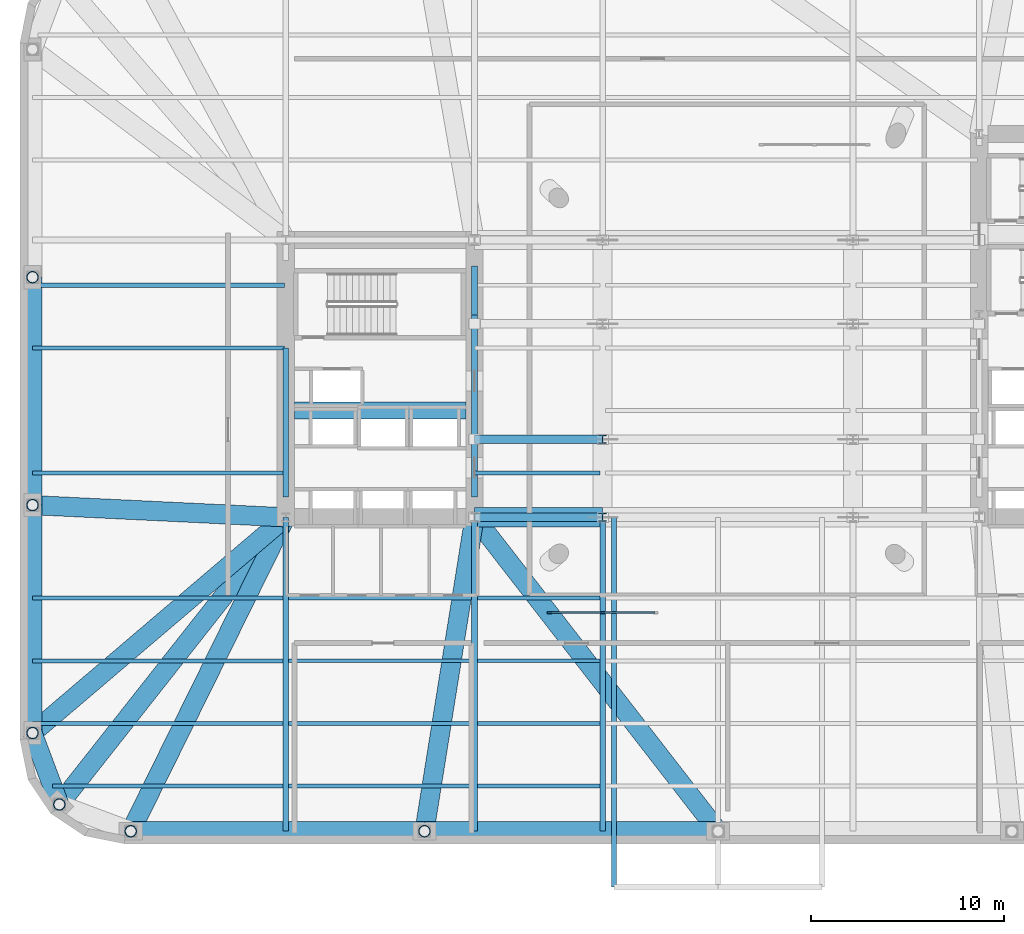
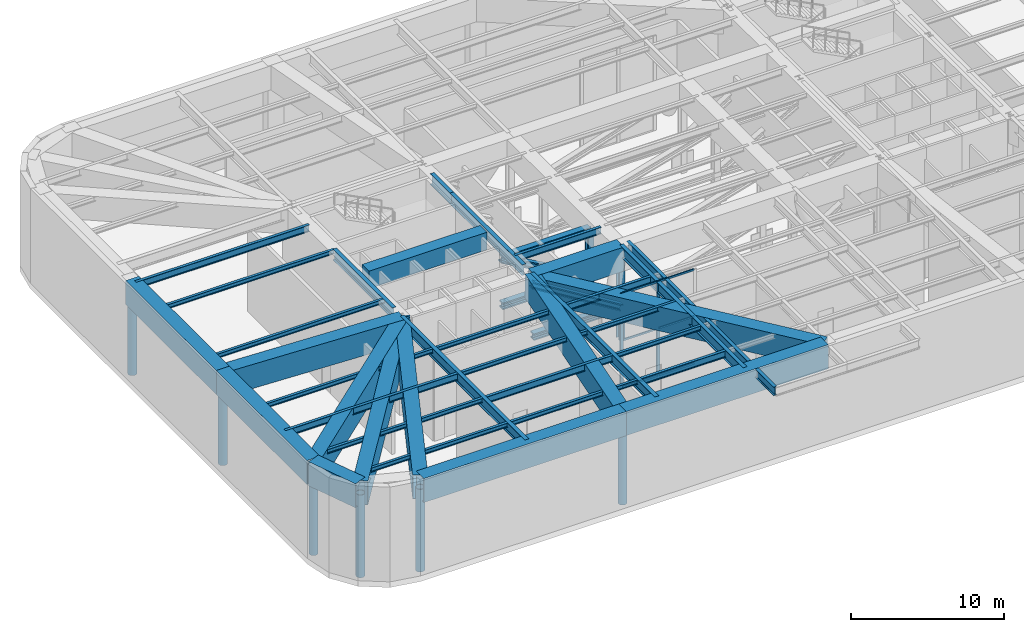
# One storey, part 2 of 15: 36 beams, 21 members, 1 element without a shape of its own.
"""IFC4 building model written with IfcOpenShell, lengths in metres."""

from ifc_helpers import new_model, si_unit, direction, frame, origin, origin_2d, place, context, subcontext, project, spatial, rectangle, hollow_rectangle, hollow_circle, i_section, extrude, material, material_profile, profile_set, type_object, element, aggregate, save


model = new_model("IFC4")

# Units and contexts
model_context = context("Model", 3, precision=1e-05, world=origin(), true_north=direction((0.0, 1.0)))
body_context = subcontext(model_context, "Body", "Model", "MODEL_VIEW")
ifc_project = project(units=[si_unit("LENGTHUNIT", "METRE"), si_unit("AREAUNIT", "SQUARE_METRE"), si_unit("VOLUMEUNIT", "CUBIC_METRE"), si_unit("PLANEANGLEUNIT", "RADIAN"), si_unit("MASSUNIT", "GRAM", prefix="KILO")], contexts=[model_context])

# Site, building, storey
site_placement = place(None, origin())
site = spatial("IfcSite", under=ifc_project, at=site_placement, CompositionType="ELEMENT")
building_placement = place(site_placement, origin())
building = spatial("IfcBuilding", under=site, at=building_placement, Name="Kolvaren Arena Tower", CompositionType="ELEMENT")
storey_placement = place(building_placement, frame((0.0, 0.0, 34.0)))
storey = spatial("IfcBuildingStorey", under=building, at=storey_placement, Name="L06", CompositionType="ELEMENT", Elevation=34.0)

# Beams
ifc_material_1 = material(Name="Steel CSA G40.21 350W", Category="steel")
ifc_material_profile_1 = material_profile(ifc_material_1, i_section(OverallWidth=0.2119140625, OverallDepth=0.54296875, WebThickness=0.01318359375, FlangeThickness=0.0244140625, FilletRadius=0.013916015625, at=origin_2d()), Name="W530x150")
ifc_profile_set_1 = profile_set([ifc_material_profile_1], Name="Steel CSA G40.21 350W")
beam_type_1 = type_object("IfcBeamType", Name="BEAM-F1", PredefinedType="BEAM", material=ifc_profile_set_1)
beam_1_placement = place(storey_placement, frame((24.49609375, 5.5, 7.278564453125), z_axis=(1.0, 0.0, 0.0), x_axis=(0.0, 1.0, 0.0)))
element("IfcBeam", 1, at=beam_1_placement, inside=storey, type_object=beam_type_1, Name="Composite Floor Beam (L06)", PredefinedType="BEAM", context=body_context, shape_type="SweptSolid", body=[
    extrude(i_section(OverallWidth=0.2119140625, OverallDepth=0.54296875, WebThickness=0.01318359375, FlangeThickness=0.0244140625, FilletRadius=0.013916015625, at=origin_2d()), origin(), (0.0, 0.0, 1.0), 6.35791015625),
])
beam_2_placement = place(storey_placement, frame((14.696044921875, 8.75, 7.278564453125), z_axis=(1.0, 0.0, 0.0), x_axis=(0.0, 1.0, 0.0)))
element("IfcBeam", 2, at=beam_2_placement, inside=storey, type_object=beam_type_1, Name="Composite Floor Beam (L06)", PredefinedType="BEAM", context=body_context, shape_type="SweptSolid", body=[
    extrude(i_section(OverallWidth=0.2119140625, OverallDepth=0.54296875, WebThickness=0.01318359375, FlangeThickness=0.0244140625, FilletRadius=0.013916015625, at=origin_2d()), origin(), (0.0, 0.0, 1.0), 9.508056640625),
])
beam_3_placement = place(storey_placement, frame((1.39990234375, 12.0, 7.278564453125), z_axis=(1.0, 0.0, 0.0), x_axis=(0.0, 1.0, 0.0)))
element("IfcBeam", 3, at=beam_3_placement, inside=storey, type_object=beam_type_1, Name="Composite Floor Beam (L06)", PredefinedType="BEAM", context=body_context, shape_type="SweptSolid", body=[
    extrude(i_section(OverallWidth=0.2119140625, OverallDepth=0.54296875, WebThickness=0.01318359375, FlangeThickness=0.0244140625, FilletRadius=0.013916015625, at=origin_2d()), origin(), (0.0, 0.0, 1.0), 13.004150390625),
])
beam_4_placement = place(storey_placement, frame((24.49609375, 15.25, 7.278564453125), z_axis=(1.0, 0.0, 0.0), x_axis=(0.0, 1.0, 0.0)))
element("IfcBeam", 4, at=beam_4_placement, inside=storey, type_object=beam_type_1, Name="Composite Floor Beam (L06)", PredefinedType="BEAM", context=body_context, shape_type="SweptSolid", body=[
    extrude(i_section(OverallWidth=0.2119140625, OverallDepth=0.54296875, WebThickness=0.01318359375, FlangeThickness=0.0244140625, FilletRadius=0.013916015625, at=origin_2d()), origin(), (0.0, 0.0, 1.0), 6.35791015625),
])
beam_5_placement = place(storey_placement, frame((24.3701171875, 21.75, 7.278564453125), z_axis=(1.0, 0.0, 0.0), x_axis=(0.0, 1.0, 0.0)))
element("IfcBeam", 5, at=beam_5_placement, inside=storey, type_object=beam_type_1, Name="Composite Floor Beam (L06)", PredefinedType="BEAM", context=body_context, shape_type="SweptSolid", body=[
    extrude(i_section(OverallWidth=0.2119140625, OverallDepth=0.54296875, WebThickness=0.01318359375, FlangeThickness=0.0244140625, FilletRadius=0.013916015625, at=origin_2d()), origin(), (0.0, 0.0, 1.0), 6.48388671875),
])
beam_6_placement = place(storey_placement, frame((1.39990234375, 31.5, 7.278564453125), z_axis=(1.0, 0.0, 0.0), x_axis=(0.0, 1.0, 0.0)))
element("IfcBeam", 6, at=beam_6_placement, inside=storey, type_object=beam_type_1, Name="Composite Floor Beam (L06)", PredefinedType="BEAM", context=body_context, shape_type="SweptSolid", body=[
    extrude(i_section(OverallWidth=0.2119140625, OverallDepth=0.54296875, WebThickness=0.01318359375, FlangeThickness=0.0244140625, FilletRadius=0.013916015625, at=origin_2d()), origin(), (0.0, 0.0, 1.0), 13.080078125),
])
ifc_material_2 = material(Name="Concrete 75 MPa", Category="concrete")
ifc_material_profile_2 = material_profile(ifc_material_2, rectangle(XDim=0.89990234375, YDim=1.39990234375, at=origin_2d()), Name="RC-900x1400")
ifc_profile_set_2 = profile_set([ifc_material_profile_2], Name="Concrete 75 MPa")
beam_type_2 = type_object("IfcBeamType", Name="CB-CORE-1", PredefinedType="BEAM", material=ifc_profile_set_2)
beam_7_placement = place(storey_placement, frame((15.0, 25.0, 7.1201171875), z_axis=(1.0, 0.0, 0.0), x_axis=(0.0, 1.0, 0.0)))
element("IfcBeam", 7, at=beam_7_placement, inside=storey, type_object=beam_type_2, Name="West Core Coupling Beam (L06)", PredefinedType="BEAM", context=body_context, shape_type="SweptSolid", body=[
    extrude(rectangle(XDim=0.89990234375, YDim=1.39990234375, at=origin_2d()), origin(), (0.0, 0.0, 1.0), 8.89990234375),
])

# Curtain wall, members
ifc_material_3 = material(Name="Anodised aluminium unitised curtain wall", Category="aluminium")
curtain_wall_type = type_object("IfcCurtainWallType", Name="CW-SYS-05", PredefinedType="USERDEFINED", material=ifc_material_3)
curtain_wall_placement = place(storey_placement, origin())
curtain_wall = element("IfcCurtainWall", 8, at=curtain_wall_placement, inside=storey, type_object=curtain_wall_type, Name="Mechanical Plant Louvre Curtain Wall (L06)", ObjectType="ACOUSTIC LOUVRE SCREEN", PredefinedType="USERDEFINED")
ifc_material_4 = material(Name="Anodised aluminium 6063-T6", Category="aluminium")
ifc_material_profile_3 = material_profile(ifc_material_4, rectangle(XDim=0.10009765625, YDim=0.239990234375, at=origin_2d()), Name="ALU-100x240")
ifc_profile_set_3 = profile_set([ifc_material_profile_3], Name="Anodised aluminium 6063-T6")
member_type_1 = type_object("IfcMemberType", Name="CWM-HVY", PredefinedType="MULLION", material=ifc_profile_set_3)
member_1_placement = place(storey_placement, frame((28.25, 14.5, 0.0), z_axis=(0.0, 0.0, 1.0), x_axis=(0.0, 1.0, 0.0)))
member_1 = element("IfcMember", 9, at=member_1_placement, type_object=member_type_1, Name="CW5 mullion 1", PredefinedType="MULLION", context=body_context, shape_type="SweptSolid", body=[
    extrude(rectangle(XDim=0.10009765625, YDim=0.239990234375, at=origin_2d()), origin(), (0.0, 0.0, 1.0), 7.550048828125),
])
member_2_placement = place(storey_placement, frame((31.0, 14.5, 0.0), z_axis=(0.0, 0.0, 1.0), x_axis=(0.0, 1.0, 0.0)))
member_2 = element("IfcMember", 10, at=member_2_placement, type_object=member_type_1, Name="CW5 mullion 2", PredefinedType="MULLION", context=body_context, shape_type="SweptSolid", body=[
    extrude(rectangle(XDim=0.10009765625, YDim=0.239990234375, at=origin_2d()), origin(), (0.0, 0.0, 1.0), 7.550048828125),
])
ifc_material_profile_4 = material_profile(ifc_material_4, rectangle(XDim=0.080078125, YDim=0.14990234375, at=origin_2d()), Name="ALU-80x150")
ifc_profile_set_4 = profile_set([ifc_material_profile_4], Name="Anodised aluminium 6063-T6")
member_type_2 = type_object("IfcMemberType", Name="CWT-STD", PredefinedType="USERDEFINED", material=ifc_profile_set_4)
member_3_placement = place(storey_placement, frame((28.300048828125, 14.5, 0.0400390625), z_axis=(1.0, 0.0, 0.0), x_axis=(0.0, 1.0, 0.0)))
member_3 = element("IfcMember", 11, at=member_3_placement, type_object=member_type_2, Name="CW5 transom 1.1", ObjectType="TRANSOM", PredefinedType="USERDEFINED", context=body_context, shape_type="SweptSolid", body=[
    extrude(rectangle(XDim=0.080078125, YDim=0.14990234375, at=origin_2d()), origin(), (0.0, 0.0, 1.0), 2.64990234375),
])
member_4_placement = place(storey_placement, frame((28.300048828125, 14.5, 3.77490234375), z_axis=(1.0, 0.0, 0.0), x_axis=(0.0, 1.0, 0.0)))
member_4 = element("IfcMember", 12, at=member_4_placement, type_object=member_type_2, Name="CW5 transom 1.2", ObjectType="TRANSOM", PredefinedType="USERDEFINED", context=body_context, shape_type="SweptSolid", body=[
    extrude(rectangle(XDim=0.080078125, YDim=0.14990234375, at=origin_2d()), origin(), (0.0, 0.0, 1.0), 2.64990234375),
])
member_5_placement = place(storey_placement, frame((28.300048828125, 14.5, 7.510009765625), z_axis=(1.0, 0.0, 0.0), x_axis=(0.0, 1.0, 0.0)))
member_5 = element("IfcMember", 13, at=member_5_placement, type_object=member_type_2, Name="CW5 transom 1.3", ObjectType="TRANSOM", PredefinedType="USERDEFINED", context=body_context, shape_type="SweptSolid", body=[
    extrude(rectangle(XDim=0.080078125, YDim=0.14990234375, at=origin_2d()), origin(), (0.0, 0.0, 1.0), 2.64990234375),
])
member_6_placement = place(storey_placement, frame((31.050048828125, 14.5, 0.0400390625), z_axis=(1.0, 0.0, 0.0), x_axis=(0.0, 1.0, 0.0)))
member_6 = element("IfcMember", 14, at=member_6_placement, type_object=member_type_2, Name="CW5 transom 2.1", ObjectType="TRANSOM", PredefinedType="USERDEFINED", context=body_context, shape_type="SweptSolid", body=[
    extrude(rectangle(XDim=0.080078125, YDim=0.14990234375, at=origin_2d()), origin(), (0.0, 0.0, 1.0), 2.64990234375),
])
member_7_placement = place(storey_placement, frame((31.050048828125, 14.5, 3.77490234375), z_axis=(1.0, 0.0, 0.0), x_axis=(0.0, 1.0, 0.0)))
member_7 = element("IfcMember", 15, at=member_7_placement, type_object=member_type_2, Name="CW5 transom 2.2", ObjectType="TRANSOM", PredefinedType="USERDEFINED", context=body_context, shape_type="SweptSolid", body=[
    extrude(rectangle(XDim=0.080078125, YDim=0.14990234375, at=origin_2d()), origin(), (0.0, 0.0, 1.0), 2.64990234375),
])
member_8_placement = place(storey_placement, frame((31.050048828125, 14.5, 7.510009765625), z_axis=(1.0, 0.0, 0.0), x_axis=(0.0, 1.0, 0.0)))
member_8 = element("IfcMember", 16, at=member_8_placement, type_object=member_type_2, Name="CW5 transom 2.3", ObjectType="TRANSOM", PredefinedType="USERDEFINED", context=body_context, shape_type="SweptSolid", body=[
    extrude(rectangle(XDim=0.080078125, YDim=0.14990234375, at=origin_2d()), origin(), (0.0, 0.0, 1.0), 2.64990234375),
])
aggregate(curtain_wall, [member_1, member_2, member_3, member_4, member_5, member_6, member_7, member_8])

# Members
ifc_material_5 = material(Name="Steel CSA G40.21 350WT", Category="steel")
ifc_material_profile_5 = material_profile(ifc_material_5, hollow_circle(Radius=0.304931640625, WallThickness=0.028076171875, at=origin_2d()), Name="CHS 610x28")
ifc_profile_set_5 = profile_set([ifc_material_profile_5], Name="Steel CSA G40.21 350WT")
member_type_3 = type_object("IfcMemberType", Name="EXO-STRUT1", PredefinedType="STRUT", material=ifc_profile_set_5)
for number, where, z_axis, x_axis, name in (
    (17, (6.5, 3.14990234375, 0.0), (0.0, 0.0, 1.0), (1.0, 0.0, 0.0), "B1 Transfer Exoskeleton Strut 01"),
    (18, (21.75, 3.14990234375, 0.0), (0.0, 0.0, 1.0), (1.0, 0.0, 0.0), "B1 Transfer Exoskeleton Strut 02"),
    (19, (1.39990234375, 31.916748046875, 0.0), (0.0, 0.0, 1.0), (1.0, 0.0, 0.0), "B1 Transfer Exoskeleton Strut 19"),
    (20, (1.39990234375, 20.083251953125, 0.0), (0.0, 0.0, 1.0), (1.0, 0.0, 0.0), "B1 Transfer Exoskeleton Strut 20"),
    (21, (1.39990234375, 8.25, 0.0), (0.0, 0.0, 1.0), (1.0, 0.0, 0.0), "B1 Transfer Exoskeleton Strut 21"),
    (22, (2.791259765625, 4.541259765625, 0.0), (0.0, 0.0, 1.0), (1.0, 0.0, 0.0), "B1 Transfer Exoskeleton Strut 22"),
):
    element("IfcMember", number, at=place(storey_placement, frame(where, z_axis=z_axis, x_axis=x_axis)), inside=storey, type_object=member_type_3, Name=name, PredefinedType="STRUT", context=body_context, shape_type="SweptSolid", body=[
        extrude(hollow_circle(Radius=0.304931640625, WallThickness=0.028076171875, at=origin_2d()), origin(), (0.0, 0.0, 1.0), 6.590087890625),
    ])

# Beams
ifc_material_profile_6 = material_profile(ifc_material_1, i_section(OverallWidth=0.2919921875, OverallDepth=0.85498046875, WebThickness=0.02099609375, FlangeThickness=0.03564453125, FilletRadius=0.01806640625, at=origin_2d()), Name="W840x299")
ifc_profile_set_6 = profile_set([ifc_material_profile_6], Name="Steel CSA G40.21 350W")
beam_type_3 = type_object("IfcBeamType", Name="GIRD-P1", PredefinedType="BEAM", material=ifc_profile_set_6)
beam_8_placement = place(storey_placement, frame((14.550048828125, 3.14990234375, 7.12255859375), z_axis=(0.0, 1.0, 0.0), x_axis=(-1.0, 0.0, 0.0)))
element("IfcBeam", 23, at=beam_8_placement, inside=storey, type_object=beam_type_3, Name="Primary Floor Girder (L06)", PredefinedType="BEAM", context=body_context, shape_type="SweptSolid", body=[
    extrude(i_section(OverallWidth=0.2919921875, OverallDepth=0.85498046875, WebThickness=0.02099609375, FlangeThickness=0.03564453125, FilletRadius=0.01806640625, at=origin_2d()), origin(), (0.0, 0.0, 1.0), 16.300048828125),
])
beam_9_placement = place(storey_placement, frame((14.550048828125, 20.5, 7.12255859375), z_axis=(0.0, 1.0, 0.0), x_axis=(-1.0, 0.0, 0.0)))
element("IfcBeam", 24, at=beam_9_placement, inside=storey, type_object=beam_type_3, Name="Primary Floor Girder (L06)", PredefinedType="BEAM", context=body_context, shape_type="SweptSolid", body=[
    extrude(i_section(OverallWidth=0.2919921875, OverallDepth=0.85498046875, WebThickness=0.02099609375, FlangeThickness=0.03564453125, FilletRadius=0.01806640625, at=origin_2d()), origin(), (0.0, 0.0, 1.0), 7.739990234375),
])
beam_10_placement = place(storey_placement, frame((24.35009765625, 3.14990234375, 7.12255859375), z_axis=(0.0, 1.0, 0.0), x_axis=(-1.0, 0.0, 0.0)))
element("IfcBeam", 25, at=beam_10_placement, inside=storey, type_object=beam_type_3, Name="Primary Floor Girder (L06)", PredefinedType="BEAM", context=body_context, shape_type="SweptSolid", body=[
    extrude(i_section(OverallWidth=0.2919921875, OverallDepth=0.85498046875, WebThickness=0.02099609375, FlangeThickness=0.03564453125, FilletRadius=0.01806640625, at=origin_2d()), origin(), (0.0, 0.0, 1.0), 16.300048828125),
])
beam_11_placement = place(storey_placement, frame((24.35009765625, 20.5, 7.12255859375), z_axis=(0.0, 1.0, 0.0), x_axis=(-1.0, 0.0, 0.0)))
element("IfcBeam", 26, at=beam_11_placement, inside=storey, type_object=beam_type_3, Name="Primary Floor Girder (L06)", PredefinedType="BEAM", context=body_context, shape_type="SweptSolid", body=[
    extrude(i_section(OverallWidth=0.2919921875, OverallDepth=0.85498046875, WebThickness=0.02099609375, FlangeThickness=0.03564453125, FilletRadius=0.01806640625, at=origin_2d()), origin(), (0.0, 0.0, 1.0), 9.449951171875),
])
beam_12_placement = place(storey_placement, frame((24.35009765625, 29.949951171875, 7.12255859375), z_axis=(0.0, 1.0, 0.0), x_axis=(-1.0, 0.0, 0.0)))
element("IfcBeam", 27, at=beam_12_placement, inside=storey, type_object=beam_type_3, Name="Primary Floor Girder (L06)", PredefinedType="BEAM", context=body_context, shape_type="SweptSolid", body=[
    extrude(i_section(OverallWidth=0.2919921875, OverallDepth=0.85498046875, WebThickness=0.02099609375, FlangeThickness=0.03564453125, FilletRadius=0.01806640625, at=origin_2d()), origin(), (0.0, 0.0, 1.0), 2.550048828125),
])
beam_13_placement = place(storey_placement, frame((31.0, 3.14990234375, 7.12255859375), z_axis=(0.0, 1.0, 0.0), x_axis=(-1.0, 0.0, 0.0)))
element("IfcBeam", 28, at=beam_13_placement, inside=storey, type_object=beam_type_3, Name="Primary Floor Girder (L06)", PredefinedType="BEAM", context=body_context, shape_type="SweptSolid", body=[
    extrude(i_section(OverallWidth=0.2919921875, OverallDepth=0.85498046875, WebThickness=0.02099609375, FlangeThickness=0.03564453125, FilletRadius=0.01806640625, at=origin_2d()), origin(), (0.0, 0.0, 1.0), 16.154052734375),
])
ifc_material_profile_7 = material_profile(ifc_material_1, i_section(OverallWidth=0.2548828125, OverallDepth=0.695068359375, WebThickness=0.01708984375, FlangeThickness=0.02978515625, FilletRadius=0.01611328125, at=origin_2d()), Name="W690x217")
ifc_profile_set_7 = profile_set([ifc_material_profile_7], Name="Steel CSA G40.21 350W")
beam_type_4 = type_object("IfcBeamType", Name="GIRD-T2", PredefinedType="BEAM", material=ifc_profile_set_7)
beam_14_placement = place(storey_placement, frame((31.60009765625, 19.449951171875, 7.202392578125), z_axis=(0.0, -1.0, 0.0), x_axis=(1.0, 0.0, 0.0)))
element("IfcBeam", 29, at=beam_14_placement, inside=storey, type_object=beam_type_4, Name="Terrace Cantilever Support Girder (L07)", PredefinedType="BEAM", context=body_context, shape_type="SweptSolid", body=[
    extrude(i_section(OverallWidth=0.2548828125, OverallDepth=0.695068359375, WebThickness=0.01708984375, FlangeThickness=0.02978515625, FilletRadius=0.01611328125, at=origin_2d()), origin(), (0.0, 0.0, 1.0), 19.199951171875),
])
ifc_material_profile_8 = material_profile(ifc_material_1, i_section(OverallWidth=0.202880859375, OverallDepth=0.346923828125, WebThickness=0.0078125, FlangeThickness=0.013427734375, FilletRadius=0.010986328125, at=origin_2d()), Name="W360x64")
ifc_profile_set_8 = profile_set([ifc_material_profile_8], Name="Steel CSA G40.21 350W")
beam_type_5 = type_object("IfcBeamType", Name="JOIST-01", PredefinedType="JOIST", material=ifc_profile_set_8)
beam_15_placement = place(storey_placement, frame((2.431396484375, 5.5, 7.37646484375), z_axis=(1.0, 0.0, 0.0), x_axis=(0.0, 1.0, 0.0)))
element("IfcBeam", 30, at=beam_15_placement, inside=storey, type_object=beam_type_5, Name="Composite Floor Joist (L06)", PredefinedType="JOIST", context=body_context, shape_type="SweptSolid", body=[
    extrude(i_section(OverallWidth=0.202880859375, OverallDepth=0.346923828125, WebThickness=0.0078125, FlangeThickness=0.013427734375, FilletRadius=0.010986328125, at=origin_2d()), origin(), (0.0, 0.0, 1.0), 11.97265625),
])
beam_16_placement = place(storey_placement, frame((14.696044921875, 5.5, 7.37646484375), z_axis=(1.0, 0.0, 0.0), x_axis=(0.0, 1.0, 0.0)))
element("IfcBeam", 31, at=beam_16_placement, inside=storey, type_object=beam_type_5, Name="Composite Floor Joist (L06)", PredefinedType="JOIST", context=body_context, shape_type="SweptSolid", body=[
    extrude(i_section(OverallWidth=0.202880859375, OverallDepth=0.346923828125, WebThickness=0.0078125, FlangeThickness=0.013427734375, FilletRadius=0.010986328125, at=origin_2d()), origin(), (0.0, 0.0, 1.0), 9.508056640625),
])
beam_17_placement = place(storey_placement, frame((1.39990234375, 8.75, 7.37646484375), z_axis=(1.0, 0.0, 0.0), x_axis=(0.0, 1.0, 0.0)))
element("IfcBeam", 32, at=beam_17_placement, inside=storey, type_object=beam_type_5, Name="Composite Floor Joist (L06)", PredefinedType="JOIST", context=body_context, shape_type="SweptSolid", body=[
    extrude(i_section(OverallWidth=0.202880859375, OverallDepth=0.346923828125, WebThickness=0.0078125, FlangeThickness=0.013427734375, FilletRadius=0.010986328125, at=origin_2d()), origin(), (0.0, 0.0, 1.0), 13.004150390625),
])
beam_18_placement = place(storey_placement, frame((24.49609375, 8.75, 7.37646484375), z_axis=(1.0, 0.0, 0.0), x_axis=(0.0, 1.0, 0.0)))
element("IfcBeam", 33, at=beam_18_placement, inside=storey, type_object=beam_type_5, Name="Composite Floor Joist (L06)", PredefinedType="JOIST", context=body_context, shape_type="SweptSolid", body=[
    extrude(i_section(OverallWidth=0.202880859375, OverallDepth=0.346923828125, WebThickness=0.0078125, FlangeThickness=0.013427734375, FilletRadius=0.010986328125, at=origin_2d()), origin(), (0.0, 0.0, 1.0), 6.35791015625),
])
beam_19_placement = place(storey_placement, frame((14.696044921875, 12.0, 7.37646484375), z_axis=(1.0, 0.0, 0.0), x_axis=(0.0, 1.0, 0.0)))
element("IfcBeam", 34, at=beam_19_placement, inside=storey, type_object=beam_type_5, Name="Composite Floor Joist (L06)", PredefinedType="JOIST", context=body_context, shape_type="SweptSolid", body=[
    extrude(i_section(OverallWidth=0.202880859375, OverallDepth=0.346923828125, WebThickness=0.0078125, FlangeThickness=0.013427734375, FilletRadius=0.010986328125, at=origin_2d()), origin(), (0.0, 0.0, 1.0), 9.508056640625),
])
beam_20_placement = place(storey_placement, frame((24.49609375, 12.0, 7.37646484375), z_axis=(1.0, 0.0, 0.0), x_axis=(0.0, 1.0, 0.0)))
element("IfcBeam", 35, at=beam_20_placement, inside=storey, type_object=beam_type_5, Name="Composite Floor Joist (L06)", PredefinedType="JOIST", context=body_context, shape_type="SweptSolid", body=[
    extrude(i_section(OverallWidth=0.202880859375, OverallDepth=0.346923828125, WebThickness=0.0078125, FlangeThickness=0.013427734375, FilletRadius=0.010986328125, at=origin_2d()), origin(), (0.0, 0.0, 1.0), 6.35791015625),
])
beam_21_placement = place(storey_placement, frame((1.39990234375, 15.25, 7.37646484375), z_axis=(1.0, 0.0, 0.0), x_axis=(0.0, 1.0, 0.0)))
element("IfcBeam", 36, at=beam_21_placement, inside=storey, type_object=beam_type_5, Name="Composite Floor Joist (L06)", PredefinedType="JOIST", context=body_context, shape_type="SweptSolid", body=[
    extrude(i_section(OverallWidth=0.202880859375, OverallDepth=0.346923828125, WebThickness=0.0078125, FlangeThickness=0.013427734375, FilletRadius=0.010986328125, at=origin_2d()), origin(), (0.0, 0.0, 1.0), 13.004150390625),
])
beam_22_placement = place(storey_placement, frame((14.696044921875, 15.25, 7.37646484375), z_axis=(1.0, 0.0, 0.0), x_axis=(0.0, 1.0, 0.0)))
element("IfcBeam", 37, at=beam_22_placement, inside=storey, type_object=beam_type_5, Name="Composite Floor Joist (L06)", PredefinedType="JOIST", context=body_context, shape_type="SweptSolid", body=[
    extrude(i_section(OverallWidth=0.202880859375, OverallDepth=0.346923828125, WebThickness=0.0078125, FlangeThickness=0.013427734375, FilletRadius=0.010986328125, at=origin_2d()), origin(), (0.0, 0.0, 1.0), 9.508056640625),
])
beam_23_placement = place(storey_placement, frame((1.39990234375, 21.75, 7.37646484375), z_axis=(1.0, 0.0, 0.0), x_axis=(0.0, 1.0, 0.0)))
element("IfcBeam", 38, at=beam_23_placement, inside=storey, type_object=beam_type_5, Name="Composite Floor Joist (L06)", PredefinedType="JOIST", context=body_context, shape_type="SweptSolid", body=[
    extrude(i_section(OverallWidth=0.202880859375, OverallDepth=0.346923828125, WebThickness=0.0078125, FlangeThickness=0.013427734375, FilletRadius=0.010986328125, at=origin_2d()), origin(), (0.0, 0.0, 1.0), 13.130126953125),
])
beam_24_placement = place(storey_placement, frame((1.39990234375, 28.25, 7.37646484375), z_axis=(1.0, 0.0, 0.0), x_axis=(0.0, 1.0, 0.0)))
element("IfcBeam", 39, at=beam_24_placement, inside=storey, type_object=beam_type_5, Name="Composite Floor Joist (L06)", PredefinedType="JOIST", context=body_context, shape_type="SweptSolid", body=[
    extrude(i_section(OverallWidth=0.202880859375, OverallDepth=0.346923828125, WebThickness=0.0078125, FlangeThickness=0.013427734375, FilletRadius=0.010986328125, at=origin_2d()), origin(), (0.0, 0.0, 1.0), 13.080078125),
])

# Members
ifc_material_6 = material(Name="Steel ASTM A913 Grade 65", Category="steel")
ifc_material_profile_9 = material_profile(ifc_material_6, i_section(OverallWidth=0.44189453125, OverallDepth=0.531005859375, WebThickness=0.0654296875, FlangeThickness=0.10595703125, FilletRadius=0.02001953125, at=origin_2d()), Name="W360x900")
ifc_profile_set_9 = profile_set([ifc_material_profile_9], Name="Steel ASTM A913 Grade 65")
member_type_4 = type_object("IfcMemberType", Name="MCHORD-BOT", PredefinedType="CHORD", material=ifc_profile_set_9)
for number, where, z_axis, x_axis, name in (
    (40, (24.35009765625, 19.449951171875, 2.5), (1.0, 0.0, 0.0), (0.0, 1.0, 0.0), "Mega-Transfer Truss 1 Bottom Chord"),
    (41, (24.35009765625, 23.5, 2.5), (1.0, 0.0, 0.0), (0.0, 1.0, 0.0), "Mega-Transfer Truss 2 Bottom Chord"),
):
    element("IfcMember", number, at=place(storey_placement, frame(where, z_axis=z_axis, x_axis=x_axis)), inside=storey, type_object=member_type_4, Name=name, PredefinedType="CHORD", context=body_context, shape_type="SweptSolid", body=[
        extrude(i_section(OverallWidth=0.44189453125, OverallDepth=0.531005859375, WebThickness=0.0654296875, FlangeThickness=0.10595703125, FilletRadius=0.02001953125, at=origin_2d()), origin(), (0.0, 0.0, 1.0), 6.64990234375),
    ])
ifc_material_profile_10 = material_profile(ifc_material_6, i_section(OverallWidth=0.4541015625, OverallDepth=0.569091796875, WebThickness=0.077880859375, FlangeThickness=0.125, FilletRadius=0.02001953125, at=origin_2d()), Name="W360x1086")
ifc_profile_set_10 = profile_set([ifc_material_profile_10], Name="Steel ASTM A913 Grade 65")
member_type_5 = type_object("IfcMemberType", Name="MCHORD-TOP", PredefinedType="CHORD", material=ifc_profile_set_10)
member_9_placement = place(storey_placement, frame((24.35009765625, 23.5, 6.18994140625), z_axis=(1.0, 0.0, 0.0), x_axis=(0.0, 1.0, 0.0)))
element("IfcMember", 42, at=member_9_placement, inside=storey, type_object=member_type_5, Name="Mega-Transfer Truss 2 Top Chord", PredefinedType="CHORD", context=body_context, shape_type="SweptSolid", body=[
    extrude(i_section(OverallWidth=0.4541015625, OverallDepth=0.569091796875, WebThickness=0.077880859375, FlangeThickness=0.125, FilletRadius=0.02001953125, at=origin_2d()), origin(), (0.0, 0.0, 1.0), 6.64990234375),
])
ifc_material_profile_11 = material_profile(ifc_material_6, i_section(OverallWidth=0.431884765625, OverallDepth=0.498046875, WebThickness=0.0556640625, FlangeThickness=0.0888671875, FilletRadius=0.02001953125, at=origin_2d()), Name="W360x744")
ifc_profile_set_11 = profile_set([ifc_material_profile_11], Name="Steel ASTM A913 Grade 65")
member_type_6 = type_object("IfcMemberType", Name="MDIAG-01", PredefinedType="BRACE", material=ifc_profile_set_11)
member_10_placement = place(storey_placement, frame((24.35009765625, 19.449951171875, 6.590087890625), z_axis=(0.851781769773, 0.0, -0.523896761473), x_axis=(0.0, 1.0, 0.0)))
element("IfcMember", 43, at=member_10_placement, inside=storey, type_object=member_type_6, Name="Mega-Transfer Truss 1 Web Diagonal", PredefinedType="BRACE", context=body_context, shape_type="SweptSolid", body=[
    extrude(i_section(OverallWidth=0.431884765625, OverallDepth=0.498046875, WebThickness=0.0556640625, FlangeThickness=0.0888671875, FilletRadius=0.02001953125, at=origin_2d()), origin(), (0.0, 0.0, 1.0), 7.80712890625),
])
member_11_placement = place(storey_placement, frame((24.35009765625, 23.5, 6.18994140625), z_axis=(0.874405501244, 0.0, -0.485195856737), x_axis=(0.0, 1.0, 0.0)))
element("IfcMember", 44, at=member_11_placement, inside=storey, type_object=member_type_6, Name="Mega-Transfer Truss 2 Web Diagonal", PredefinedType="BRACE", context=body_context, shape_type="SweptSolid", body=[
    extrude(i_section(OverallWidth=0.431884765625, OverallDepth=0.498046875, WebThickness=0.0556640625, FlangeThickness=0.0888671875, FilletRadius=0.02001953125, at=origin_2d()), origin(), (0.0, 0.0, 1.0), 7.60498046875),
])
ifc_material_profile_12 = material_profile(ifc_material_6, i_section(OverallWidth=0.41796875, OverallDepth=0.455078125, WebThickness=0.0419921875, FlangeThickness=0.067626953125, FilletRadius=0.02001953125, at=origin_2d()), Name="W360x551")
ifc_profile_set_12 = profile_set([ifc_material_profile_12], Name="Steel ASTM A913 Grade 65")
member_type_7 = type_object("IfcMemberType", Name="MPOST-01", PredefinedType="POST", material=ifc_profile_set_12)
for number, where, z_axis, x_axis, name in (
    (45, (31.0, 19.449951171875, 0.0), (0.0, 0.0, 1.0), (1.0, 0.0, 0.0), "Mega-Transfer Truss 1 Vertical Post"),
    (46, (31.0, 23.5, 0.0), (0.0, 0.0, 1.0), (1.0, 0.0, 0.0), "Mega-Transfer Truss 2 Vertical Post"),
):
    element("IfcMember", number, at=place(storey_placement, frame(where, z_axis=z_axis, x_axis=x_axis)), inside=storey, type_object=member_type_7, Name=name, PredefinedType="POST", context=body_context, shape_type="SweptSolid", body=[
        extrude(i_section(OverallWidth=0.41796875, OverallDepth=0.455078125, WebThickness=0.0419921875, FlangeThickness=0.067626953125, FilletRadius=0.02001953125, at=origin_2d()), origin(), (0.0, 0.0, 1.0), 6.239990234375),
    ])

# Beams
ifc_material_profile_13 = material_profile(ifc_material_5, hollow_rectangle(XDim=1.0, YDim=1.919921875, WallThickness=0.044921875, at=origin_2d()), Name="BOX 1000x1920x45")
ifc_profile_set_13 = profile_set([ifc_material_profile_13], Name="Steel CSA G40.21 350WT")
beam_type_6 = type_object("IfcBeamType", Name="TG-MEGA", PredefinedType="USERDEFINED", material=ifc_profile_set_13)
beam_25_placement = place(storey_placement, frame((6.5, 3.14990234375, 6.590087890625), z_axis=(1.0, 0.0, 0.0), x_axis=(0.0, 1.0, 0.0)))
element("IfcBeam", 47, at=beam_25_placement, inside=storey, type_object=beam_type_6, Name="B1 Perimeter Transfer Ring Girder 01", ObjectType="TRANSFER GIRDER", PredefinedType="USERDEFINED", context=body_context, shape_type="SweptSolid", body=[
    extrude(hollow_rectangle(XDim=1.0, YDim=1.919921875, WallThickness=0.044921875, at=origin_2d()), origin(), (0.0, 0.0, 1.0), 15.25),
])
beam_26_placement = place(storey_placement, frame((6.5, 3.14990234375, 6.590087890625), z_axis=(0.442808703118, 0.896616112081, 0.0), x_axis=(-0.896616112081, 0.442808703118, 0.0)))
element("IfcBeam", 48, at=beam_26_placement, inside=storey, type_object=beam_type_6, Name="B1 Cantilever Radial Transfer Girder 01", ObjectType="TRANSFER GIRDER", PredefinedType="USERDEFINED", context=body_context, shape_type="SweptSolid", body=[
    extrude(hollow_rectangle(XDim=1.0, YDim=1.919921875, WallThickness=0.044921875, at=origin_2d()), origin(), (0.0, 0.0, 1.0), 18.179443359375),
])
beam_27_placement = place(storey_placement, frame((21.75, 3.14990234375, 6.590087890625), z_axis=(1.0, 0.0, 0.0), x_axis=(0.0, 1.0, 0.0)))
element("IfcBeam", 49, at=beam_27_placement, inside=storey, type_object=beam_type_6, Name="B1 Perimeter Transfer Ring Girder 02", ObjectType="TRANSFER GIRDER", PredefinedType="USERDEFINED", context=body_context, shape_type="SweptSolid", body=[
    extrude(hollow_rectangle(XDim=1.0, YDim=1.919921875, WallThickness=0.044921875, at=origin_2d()), origin(), (0.0, 0.0, 1.0), 15.25),
])
beam_28_placement = place(storey_placement, frame((21.75, 3.14990234375, 6.590087890625), z_axis=(0.157523219796, 0.98751528354, 0.0), x_axis=(-0.98751528354, 0.157523219796, 0.0)))
element("IfcBeam", 50, at=beam_28_placement, inside=storey, type_object=beam_type_6, Name="B1 Cantilever Radial Transfer Girder 02", ObjectType="TRANSFER GIRDER", PredefinedType="USERDEFINED", context=body_context, shape_type="SweptSolid", body=[
    extrude(hollow_rectangle(XDim=1.0, YDim=1.919921875, WallThickness=0.044921875, at=origin_2d()), origin(), (0.0, 0.0, 1.0), 16.506103515625),
])
beam_29_placement = place(storey_placement, frame((37.0, 3.14990234375, 6.590087890625), z_axis=(-0.613097323124, 0.790007387547, 0.0), x_axis=(-0.790007387547, -0.613097323124, 0.0)))
element("IfcBeam", 51, at=beam_29_placement, inside=storey, type_object=beam_type_6, Name="B1 Cantilever Radial Transfer Girder 03", ObjectType="TRANSFER GIRDER", PredefinedType="USERDEFINED", context=body_context, shape_type="SweptSolid", body=[
    extrude(hollow_rectangle(XDim=1.0, YDim=1.919921875, WallThickness=0.044921875, at=origin_2d()), origin(), (0.0, 0.0, 1.0), 20.6328125),
])
beam_30_placement = place(storey_placement, frame((1.39990234375, 31.916748046875, 6.590087890625), z_axis=(0.0, -1.0, 0.0), x_axis=(1.0, 0.0, 0.0)))
element("IfcBeam", 52, at=beam_30_placement, inside=storey, type_object=beam_type_6, Name="B1 Perimeter Transfer Ring Girder 19", ObjectType="TRANSFER GIRDER", PredefinedType="USERDEFINED", context=body_context, shape_type="SweptSolid", body=[
    extrude(hollow_rectangle(XDim=1.0, YDim=1.919921875, WallThickness=0.044921875, at=origin_2d()), origin(), (0.0, 0.0, 1.0), 11.83349609375),
])
beam_31_placement = place(storey_placement, frame((1.39990234375, 20.083251953125, 6.590087890625), z_axis=(0.0, -1.0, 0.0), x_axis=(1.0, 0.0, 0.0)))
element("IfcBeam", 53, at=beam_31_placement, inside=storey, type_object=beam_type_6, Name="B1 Perimeter Transfer Ring Girder 20", ObjectType="TRANSFER GIRDER", PredefinedType="USERDEFINED", context=body_context, shape_type="SweptSolid", body=[
    extrude(hollow_rectangle(XDim=1.0, YDim=1.919921875, WallThickness=0.044921875, at=origin_2d()), origin(), (0.0, 0.0, 1.0), 11.833251953125),
])
beam_32_placement = place(storey_placement, frame((1.39990234375, 20.083251953125, 6.590087890625), z_axis=(0.998842358134, -0.048103467631, 0.0), x_axis=(0.048103467631, 0.998842358134, 0.0)))
element("IfcBeam", 54, at=beam_32_placement, inside=storey, type_object=beam_type_6, Name="B1 Cantilever Radial Transfer Girder 20", ObjectType="TRANSFER GIRDER", PredefinedType="USERDEFINED", context=body_context, shape_type="SweptSolid", body=[
    extrude(hollow_rectangle(XDim=1.0, YDim=1.919921875, WallThickness=0.044921875, at=origin_2d()), origin(), (0.0, 0.0, 1.0), 13.165283203125),
])
beam_33_placement = place(storey_placement, frame((1.39990234375, 8.25, 6.590087890625), z_axis=(0.351251771955, -0.93628104365, 0.0), x_axis=(0.93628104365, 0.351251771955, 0.0)))
element("IfcBeam", 55, at=beam_33_placement, inside=storey, type_object=beam_type_6, Name="B1 Perimeter Transfer Ring Girder 21", ObjectType="TRANSFER GIRDER", PredefinedType="USERDEFINED", context=body_context, shape_type="SweptSolid", body=[
    extrude(hollow_rectangle(XDim=1.0, YDim=1.919921875, WallThickness=0.044921875, at=origin_2d()), origin(), (0.0, 0.0, 1.0), 3.961181640625),
])
beam_34_placement = place(storey_placement, frame((1.39990234375, 8.25, 6.590087890625), z_axis=(0.761301111801, 0.648398501826, 0.0), x_axis=(-0.648398501826, 0.761301111801, 0.0)))
element("IfcBeam", 56, at=beam_34_placement, inside=storey, type_object=beam_type_6, Name="B1 Cantilever Radial Transfer Girder 21", ObjectType="TRANSFER GIRDER", PredefinedType="USERDEFINED", context=body_context, shape_type="SweptSolid", body=[
    extrude(hollow_rectangle(XDim=1.0, YDim=1.919921875, WallThickness=0.044921875, at=origin_2d()), origin(), (0.0, 0.0, 1.0), 17.273193359375),
])
beam_35_placement = place(storey_placement, frame((2.791259765625, 4.541259765625, 6.590087890625), z_axis=(0.61927986086, 0.785170334343, 0.0), x_axis=(-0.785170334343, 0.61927986086, 0.0)))
element("IfcBeam", 57, at=beam_35_placement, inside=storey, type_object=beam_type_6, Name="B1 Cantilever Radial Transfer Girder 22", ObjectType="TRANSFER GIRDER", PredefinedType="USERDEFINED", context=body_context, shape_type="SweptSolid", body=[
    extrude(hollow_rectangle(XDim=1.0, YDim=1.919921875, WallThickness=0.044921875, at=origin_2d()), origin(), (0.0, 0.0, 1.0), 18.98779296875),
])
beam_36_placement = place(storey_placement, frame((24.35009765625, 19.449951171875, 6.590087890625), z_axis=(1.0, 0.0, 0.0), x_axis=(0.0, 1.0, 0.0)))
element("IfcBeam", 58, at=beam_36_placement, inside=storey, type_object=beam_type_6, Name="Mega-Transfer Truss 1 Top Transfer Girder", ObjectType="TRANSFER GIRDER", PredefinedType="USERDEFINED", context=body_context, shape_type="SweptSolid", body=[
    extrude(hollow_rectangle(XDim=1.0, YDim=1.919921875, WallThickness=0.044921875, at=origin_2d()), origin(), (0.0, 0.0, 1.0), 6.64990234375),
])

save(model, "model.ifc")
